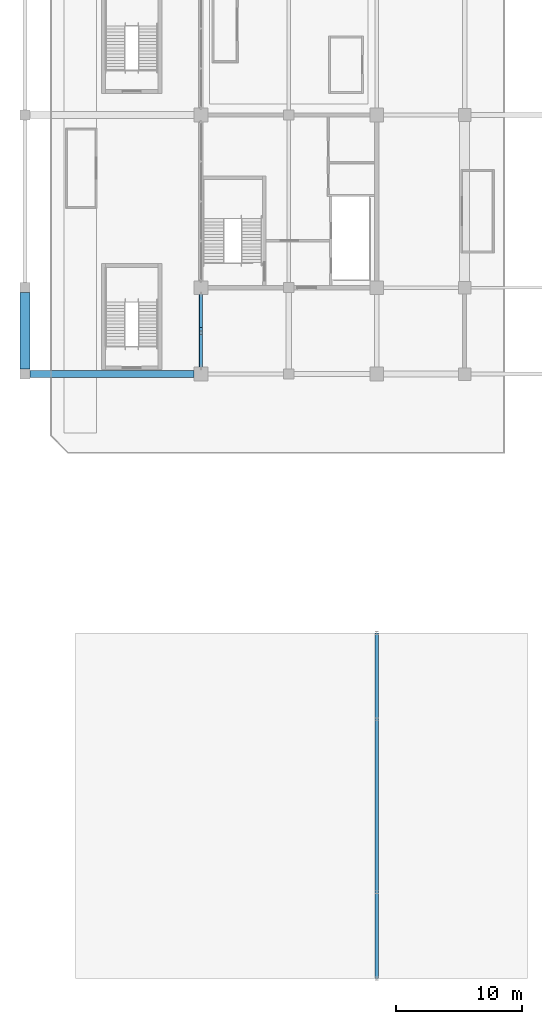
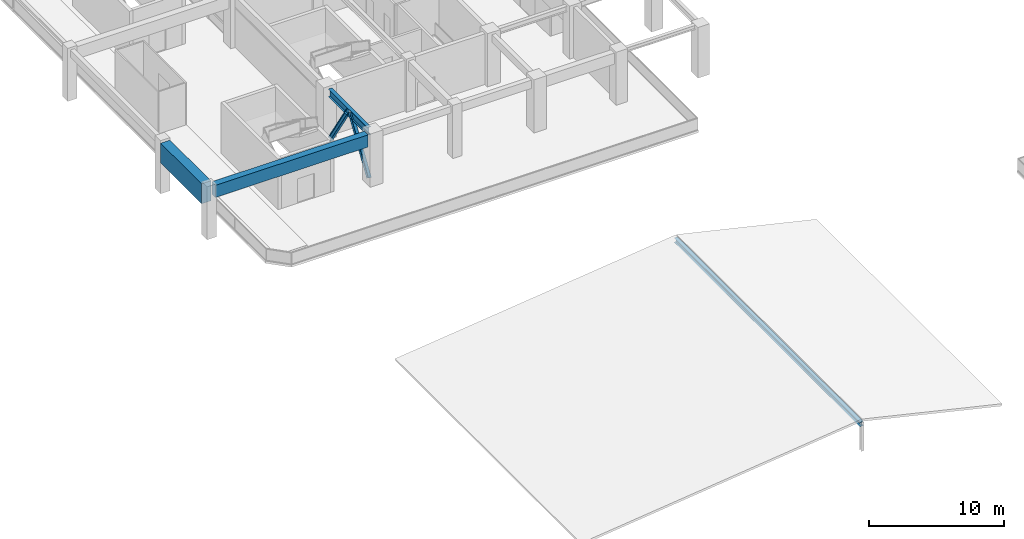
# One storey, part 19 of 91: 4 beams, 2 members.
"""IFC4 building model written with IfcOpenShell, lengths in metres."""

from ifc_helpers import new_model, si_unit, direction, frame, origin, origin_2d, place, context, subcontext, project, spatial, rectangle, i_section, extrude, material, material_profile, profile_set, type_object, element, save


model = new_model("IFC4")

# Units and contexts
model_context = context("Model", 3, precision=1e-05, world=origin(), true_north=direction((0.0, 1.0)))
body_context = subcontext(model_context, "Body", "Model", "MODEL_VIEW")
ifc_project = project(units=[si_unit("LENGTHUNIT", "METRE"), si_unit("AREAUNIT", "SQUARE_METRE"), si_unit("VOLUMEUNIT", "CUBIC_METRE"), si_unit("PLANEANGLEUNIT", "RADIAN"), si_unit("MASSUNIT", "GRAM", prefix="KILO")], contexts=[model_context])

# Site, building, storey
site_placement = place(None, origin())
site = spatial("IfcSite", under=ifc_project, at=site_placement, CompositionType="ELEMENT")
building_placement = place(site_placement, origin())
building = spatial("IfcBuilding", under=site, at=building_placement, Name="Linyun Crest Stadium", CompositionType="ELEMENT")
storey_placement = place(building_placement, frame((0.0, 0.0, 11.39990234375)))
storey = spatial("IfcBuildingStorey", under=building, at=storey_placement, Name="L03", CompositionType="ELEMENT", Elevation=11.39990234375)

# Beams
ifc_material_1 = material(Name="Steel Q355C", Category="steel")
ifc_material_profile_1 = material_profile(ifc_material_1, i_section(OverallWidth=0.300048828125, OverallDepth=0.389892578125, WebThickness=0.010009765625, FlangeThickness=0.01611328125, at=origin_2d()), Name="HM 390x300")
ifc_profile_set_1 = profile_set([ifc_material_profile_1], Name="Steel Q355C")
beam_type_1 = type_object("IfcBeamType", Name="B06", PredefinedType="BEAM", material=ifc_profile_set_1)
beam_1_placement = place(storey_placement, frame((-70.0, -94.125, 2.3701171875), z_axis=(0.0, 1.0, 0.0), x_axis=(-1.0, 0.0, 0.0)))
element("IfcBeam", 1, at=beam_1_placement, inside=storey, type_object=beam_type_1, Name="Pavilion ridge beam B06 SW 69", PredefinedType="BEAM", context=body_context, shape_type="SweptSolid", body=[
    extrude(i_section(OverallWidth=0.300048828125, OverallDepth=0.389892578125, WebThickness=0.010009765625, FlangeThickness=0.01611328125, at=origin_2d()), origin(), (0.0, 0.0, 1.0), 27.5),
])
ifc_material_2 = material(Name="Steel Q355C", Category="steel")
ifc_material_profile_2 = material_profile(ifc_material_2, i_section(OverallWidth=0.300048828125, OverallDepth=0.699951171875, WebThickness=0.012939453125, FlangeThickness=0.02392578125, at=origin_2d()), Name="HN 700x300")
ifc_profile_set_2 = profile_set([ifc_material_profile_2], Name="Steel Q355C")
beam_type_2 = type_object("IfcBeamType", Name="B12", PredefinedType="BEAM", material=ifc_profile_set_2)
beam_2_placement = place(storey_placement, frame((-84.0, -45.449951171875, 4.22998046875), z_axis=(0.0, 1.0, 0.0), x_axis=(-1.0, 0.0, 0.0)))
element("IfcBeam", 2, at=beam_2_placement, inside=storey, type_object=beam_type_2, Name="Frame beam B12 L03 270", PredefinedType="BEAM", context=body_context, shape_type="SweptSolid", body=[
    extrude(i_section(OverallWidth=0.300048828125, OverallDepth=0.699951171875, WebThickness=0.012939453125, FlangeThickness=0.02392578125, at=origin_2d()), origin(), (0.0, 0.0, 1.0), 5.77490234375),
])
ifc_material_3 = material(Name="Concrete C50", Category="concrete")
ifc_material_profile_3 = material_profile(ifc_material_3, rectangle(XDim=0.800048828125, YDim=1.800048828125, at=origin_2d()), Name="RCB 1800x800")
ifc_profile_set_3 = profile_set([ifc_material_profile_3], Name="Concrete C50")
beam_type_3 = type_object("IfcBeamType", Name="B14", PredefinedType="BEAM", material=ifc_profile_set_3)
beam_3_placement = place(storey_placement, frame((-98.0, -45.60009765625, 3.68017578125), z_axis=(0.0, 1.0, 0.0), x_axis=(-1.0, 0.0, 0.0)))
element("IfcBeam", 3, at=beam_3_placement, inside=storey, type_object=beam_type_3, Name="Frame beam B14 L03 263", PredefinedType="BEAM", context=body_context, shape_type="SweptSolid", body=[
    extrude(rectangle(XDim=0.800048828125, YDim=1.800048828125, at=origin_2d()), origin(), (0.0, 0.0, 1.0), 6.0751953125),
])

# Members
ifc_material_4 = material(Name="Steel Q355C", Category="steel")
ifc_material_profile_4 = material_profile(ifc_material_4, i_section(OverallWidth=0.25, OverallDepth=0.340087890625, WebThickness=0.009033203125, FlangeThickness=0.013916015625, at=origin_2d()), Name="HM 340x250")
ifc_profile_set_4 = profile_set([ifc_material_profile_4], Name="Steel Q355C")
member_type = type_object("IfcMemberType", Name="BR02", PredefinedType="BRACE", material=ifc_profile_set_4)
member_1_placement = place(storey_placement, frame((-84.0, -45.449951171875, 0.0), z_axis=(0.0, 0.541618223966, 0.840624588903), x_axis=(-1.0, 0.0, 0.0)))
element("IfcMember", 4, at=member_1_placement, inside=storey, type_object=member_type, Name="Frame brace BR02 L03 5", PredefinedType="BRACE", context=body_context, shape_type="SweptSolid", body=[
    extrude(i_section(OverallWidth=0.25, OverallDepth=0.340087890625, WebThickness=0.009033203125, FlangeThickness=0.013916015625, at=origin_2d()), origin(), (0.0, 0.0, 1.0), 5.07373046875),
])
member_2_placement = place(storey_placement, frame((-84.0, -39.675048828125, 0.0), z_axis=(0.0, -0.54148219191, 0.840712219398), x_axis=(1.0, 0.0, 0.0)))
element("IfcMember", 5, at=member_2_placement, inside=storey, type_object=member_type, Name="Frame brace BR02 L03 6", PredefinedType="BRACE", context=body_context, shape_type="SweptSolid", body=[
    extrude(i_section(OverallWidth=0.25, OverallDepth=0.340087890625, WebThickness=0.009033203125, FlangeThickness=0.013916015625, at=origin_2d()), origin(), (0.0, 0.0, 1.0), 5.0732421875),
])

# Beam
ifc_material_5 = material(Name="Concrete C50", Category="concrete")
ifc_material_profile_5 = material_profile(ifc_material_5, rectangle(XDim=0.550048828125, YDim=1.10009765625, at=origin_2d()), Name="RCB 1100x550")
ifc_profile_set_5 = profile_set([ifc_material_profile_5], Name="Concrete C50")
beam_type_4 = type_object("IfcBeamType", Name="TB01", PredefinedType="USERDEFINED", material=ifc_profile_set_5)
beam_4_placement = place(storey_placement, frame((-97.60009765625, -46.0, 4.030029296875), z_axis=(1.0, 0.0, 0.0), x_axis=(0.0, 1.0, 0.0)))
element("IfcBeam", 6, at=beam_4_placement, inside=storey, type_object=beam_type_4, Name="Frame beam TB01 L03 227", ObjectType="GIRDER", PredefinedType="USERDEFINED", context=body_context, shape_type="SweptSolid", body=[
    extrude(rectangle(XDim=0.550048828125, YDim=1.10009765625, at=origin_2d()), origin(), (0.0, 0.0, 1.0), 13.050048828125),
])

save(model, "model.ifc")
